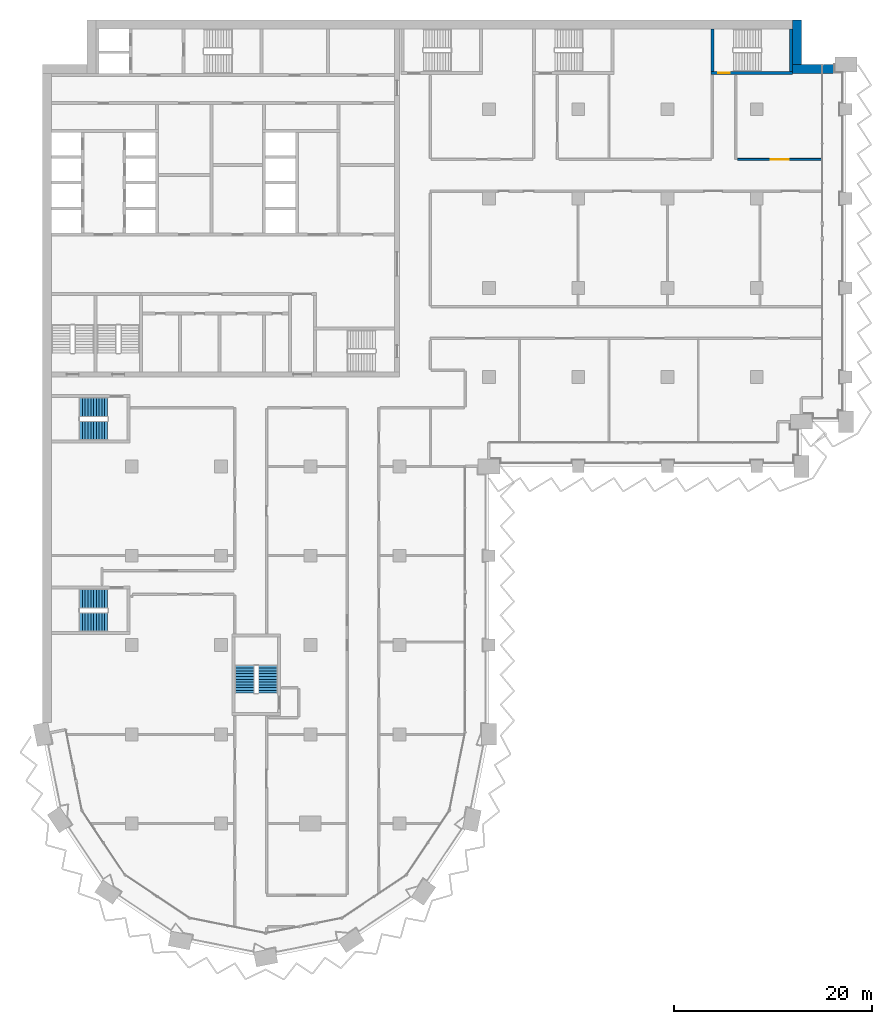
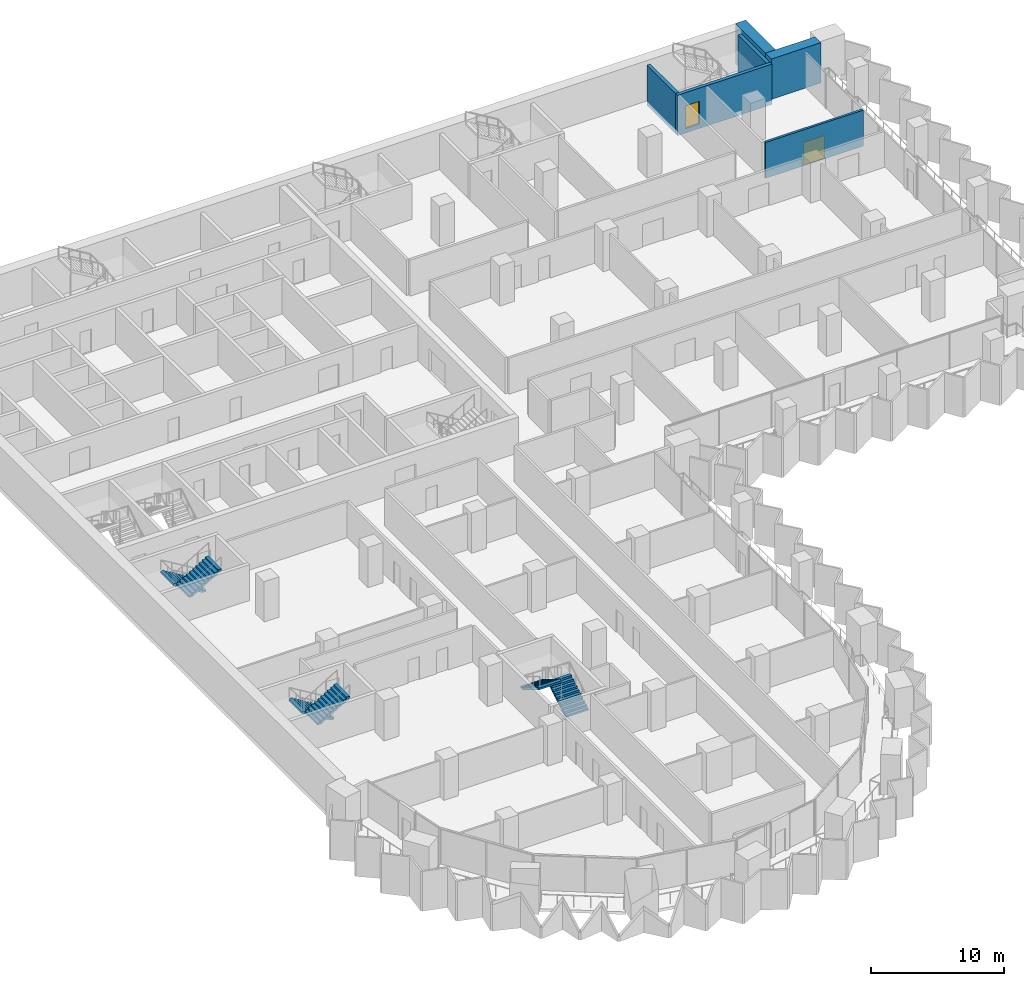
# One storey, part 15 of 22: 6 stair flights, 6 walls, 2 doors, 2 openings, 3 elements without a shape of their own.
"""IFC4 building model written with IfcOpenShell, lengths in metres."""

from ifc_helpers import new_model, si_unit, direction, frame, frame_2d, origin, place, context, subcontext, project, spatial, polyline, rectangle, outline, extrude, material, layer, layer_set, type_object, element, fill, aggregate, save


model = new_model("IFC4")

# Units and contexts
model_context = context("Model", 3, precision=1e-05, world=origin(), true_north=direction((0.0, 1.0)))
body_context = subcontext(model_context, "Body", "Model", "MODEL_VIEW")
ifc_project = project(units=[si_unit("LENGTHUNIT", "METRE"), si_unit("AREAUNIT", "SQUARE_METRE"), si_unit("VOLUMEUNIT", "CUBIC_METRE"), si_unit("PLANEANGLEUNIT", "RADIAN"), si_unit("MASSUNIT", "GRAM", prefix="KILO")], contexts=[model_context])

# Site, building, storey
site_placement = place(None, origin())
site = spatial("IfcSite", under=ifc_project, at=site_placement, CompositionType="ELEMENT")
building_placement = place(site_placement, origin())
building = spatial("IfcBuilding", under=site, at=building_placement, Name="Hunhe Ridgeline Campus", CompositionType="ELEMENT")
storey_placement = place(building_placement, frame((0.0, 0.0, 84.800048828125)))
storey = spatial("IfcBuildingStorey", under=building, at=storey_placement, Name="L20", CompositionType="ELEMENT", Elevation=84.800048828125)

# Wall, opening, door
ifc_material_1 = material(Name="Gypsum board partition")
ifc_layer_1 = layer(ifc_material_1, 0.199951171875)
ifc_layer_set_1 = layer_set([ifc_layer_1], Name="Corridor partition 200 gypsum board on steel studs")
wall_type_1 = type_object("IfcWallType", Name="Corridor partition 200 gypsum board on steel studs", PredefinedType="PARTITIONING", material=ifc_layer_set_1)
wall_1_placement = place(storey_placement, frame((70.056884765625, 84.949951171875, 0.0), z_axis=(0.0, 0.0, 1.0), x_axis=(1.0, 0.0, 0.0)))
wall_1 = element("IfcWall", 1, at=wall_1_placement, inside=storey, type_object=wall_type_1, Name="F-L20-wall-043", PredefinedType="PARTITIONING", context=body_context, shape_type="SweptSolid", body=[
    extrude(rectangle(XDim=8.488037109375, YDim=0.199951171875, at=frame_2d((4.244140625, 0.0))), origin(), (0.0, 0.0, 1.0), 3.300048828125),
])
opening_1_placement = place(wall_1_placement, frame((3.343994140625, 0.0, 0.0)))
opening_1 = element("IfcOpeningElement", 2, at=opening_1_placement, cuts=wall_1, Name="Opening RD2-036", PredefinedType="OPENING", context=body_context, shape_type="SweptSolid", body=[
    extrude(rectangle(XDim=1.800048828125, YDim=2.10009765625, at=frame_2d((0.89990234375, 1.050048828125))), frame((0.0, 0.10009765625, 0.0), z_axis=(0.0, -1.0, 0.0), x_axis=(1.0, 0.0, 0.0)), (0.0, 0.0, 1.0), 0.199951171875),
])
ifc_material_2 = material(Name="Timber door leaf", Category="wood")
door_type_1 = type_object("IfcDoorType", Name="Double fire door 1800x2100 timber FD60", OperationType="DOUBLE_DOOR_SINGLE_SWING", PredefinedType="DOOR", material=ifc_material_2)
door_1_placement = place(opening_1_placement, origin())
door_1 = element("IfcDoor", 3, at=door_1_placement, inside=storey, type_object=door_type_1, Name="F-L20-door-036", OperationType="DOUBLE_DOOR_SINGLE_SWING", OverallHeight=2.10009765625, OverallWidth=1.800048828125, PredefinedType="DOOR", context=body_context, shape_type="SweptSolid", body=[
    extrude(rectangle(XDim=1.800048828125, YDim=2.10009765625, at=frame_2d((0.89990234375, 1.050048828125))), frame((0.0, 0.02490234375, 0.0), z_axis=(0.0, -1.0, 0.0), x_axis=(1.0, 0.0, 0.0)), (0.0, 0.0, 1.0), 0.050048828125),
])
fill(opening_1, door_1)

# Walls
ifc_material_3 = material(Name="Concrete C70", Category="concrete")
ifc_layer_2 = layer(ifc_material_3, 0.89990234375)
ifc_layer_set_2 = layer_set([ifc_layer_2], Name="Spine wall 900 Concrete C70")
wall_type_2 = type_object("IfcWallType", Name="Spine wall 900 Concrete C70", PredefinedType="SHEAR", material=ifc_layer_set_2)
wall_2_placement = place(storey_placement, frame((79.89990234375, 94.050048828125, 0.0), z_axis=(0.0, 0.0, 1.0), x_axis=(-1.0, 0.0, 0.0)))
element("IfcWall", 4, at=wall_2_placement, inside=storey, type_object=wall_type_2, Name="Spine wall SW2-2 L20", PredefinedType="SHEAR", context=body_context, shape_type="SweptSolid", body=[
    extrude(rectangle(XDim=4.30029296875, YDim=0.89990234375, at=frame_2d((2.150146484375, 0.0))), origin(), (0.0, 0.0, 1.0), 3.699951171875),
])
wall_3_placement = place(storey_placement, frame((76.050048828125, 93.60009765625, 0.0), z_axis=(0.0, 0.0, 1.0), x_axis=(0.0, 1.0, 0.0)))
element("IfcWall", 5, at=wall_3_placement, inside=storey, type_object=wall_type_2, Name="Spine wall SW2-3 L20", PredefinedType="SHEAR", context=body_context, shape_type="SweptSolid", body=[
    extrude(rectangle(XDim=5.39990234375, YDim=0.89990234375, at=frame_2d((2.699951171875, 0.0))), origin(), (0.0, 0.0, 1.0), 3.699951171875),
])

# Wall, opening, door
ifc_material_4 = material(Name="Concrete C80", Category="concrete")
ifc_layer_3 = layer(ifc_material_4, 0.300048828125)
ifc_layer_set_3 = layer_set([ifc_layer_3], Name="Stair wall 300 reinforced concrete C80")
wall_type_3 = type_object("IfcWallType", Name="Stair wall 300 reinforced concrete C80", PredefinedType="SOLIDWALL", material=ifc_layer_set_3)
wall_4_placement = place(storey_placement, frame((67.39990234375, 93.64990234375, -0.400146484375), z_axis=(0.0, 0.0, 1.0), x_axis=(1.0, 0.0, 0.0)))
wall_4 = element("IfcWall", 6, at=wall_4_placement, inside=storey, type_object=wall_type_3, Name="L20 core wall 32", PredefinedType="SOLIDWALL", context=body_context, shape_type="SweptSolid", body=[
    extrude(rectangle(XDim=8.2001953125, YDim=0.300048828125, at=frame_2d((4.10009765625, 0.0))), origin(), (0.0, 0.0, 1.0), 3.7001953125),
])
opening_2_placement = place(wall_4_placement, frame((0.699951171875, 0.0, 0.39990234375)))
opening_2 = element("IfcOpeningElement", 7, at=opening_2_placement, cuts=wall_4, Name="Opening CD19", PredefinedType="OPENING", context=body_context, shape_type="SweptSolid", body=[
    extrude(rectangle(XDim=1.199951171875, YDim=2.10009765625, at=frame_2d((0.60009765625, 1.050048828125))), frame((0.0, 0.14990234375, 0.0), z_axis=(0.0, -1.0, 0.0), x_axis=(1.0, 0.0, 0.0)), (0.0, 0.0, 1.0), 0.300048828125),
])
ifc_material_5 = material(Name="Hollow metal fire door leaf")
door_type_2 = type_object("IfcDoorType", Name="Stair door 1200x2100 FD60", OperationType="SINGLE_SWING_LEFT", PredefinedType="DOOR", material=ifc_material_5)
door_2_placement = place(opening_2_placement, frame((1.199951171875, 0.0, 0.0), z_axis=(0.0, 0.0, 1.0), x_axis=(-1.0, 0.0, 0.0)))
door_2 = element("IfcDoor", 8, at=door_2_placement, inside=storey, type_object=door_type_2, Name="L20 door E3", OperationType="SINGLE_SWING_RIGHT", OverallHeight=2.10009765625, OverallWidth=1.199951171875, PredefinedType="DOOR", context=body_context, shape_type="SweptSolid", body=[
    extrude(rectangle(XDim=1.199951171875, YDim=2.10009765625, at=frame_2d((0.60009765625, 1.050048828125))), frame((0.0, 0.02490234375, 0.0), z_axis=(0.0, -1.0, 0.0), x_axis=(1.0, 0.0, 0.0)), (0.0, 0.0, 1.0), 0.050048828125),
])
fill(opening_2, door_2)

# Walls
for number, where, z_axis, x_axis, name in (
    (9, (67.550048828125, 93.800048828125, -0.400146484375), (0.0, 0.0, 1.0), (0.0, 1.0, 0.0), "L20 core wall 66"),
    (10, (75.449951171875, 93.800048828125, -0.400146484375), (0.0, 0.0, 1.0), (0.0, 1.0, 0.0), "L20 core wall 67"),
):
    element("IfcWall", number, at=place(storey_placement, frame(where, z_axis=z_axis, x_axis=x_axis)), inside=storey, type_object=wall_type_3, Name=name, PredefinedType="SOLIDWALL", context=body_context, shape_type="SweptSolid", body=[
        extrude(rectangle(XDim=4.300048828125, YDim=0.300048828125, at=frame_2d((2.14990234375, 0.0))), origin(), (0.0, 0.0, 1.0), 3.7001953125),
    ])

# Stair, stair flights
ifc_material_6 = material(Name="Concrete C40", Category="concrete")
stair_type = type_object("IfcStairType", Name="Reinforced concrete dog-leg stair 1950 Concrete C40", PredefinedType="HALF_TURN_STAIR", material=ifc_material_6)
stair_1_placement = place(storey_placement, origin())
stair_1 = element("IfcStair", 11, at=stair_1_placement, inside=storey, type_object=stair_type, Name="L20 W3", PredefinedType="HALF_TURN_STAIR")
stair_flight_type = type_object("IfcStairFlightType", Name="Reinforced concrete stair flight 1950 Concrete C40", PredefinedType="STRAIGHT", material=ifc_material_6)
stair_flight_1_placement = place(storey_placement, frame((22.72509765625, 31.14990234375, 0.0), z_axis=(0.0, 0.0, 1.0), x_axis=(0.0, 1.0, 0.0)))
stair_flight_1 = element("IfcStairFlight", 12, at=stair_flight_1_placement, type_object=stair_flight_type, Name="ST9 flight 1", NumberOfRisers=11, NumberOfTreads=10, PredefinedType="STRAIGHT", RiserHeight=0.168181818, TreadLength=0.28, context=body_context, shape_type="SweptSolid", body=[
    extrude(outline(polyline([(0.0, 0.0), (0.0, 0.168212890625), (0.280029296875, 0.168212890625), (0.280029296875, 0.33642578125), (0.56005859375, 0.33642578125), (0.56005859375, 0.504638671875), (0.840087890625, 0.504638671875), (0.840087890625, 0.672607421875), (1.1201171875, 0.672607421875), (1.1201171875, 0.8408203125), (1.39990234375, 0.8408203125), (1.39990234375, 1.009033203125), (1.679931640625, 1.009033203125), (1.679931640625, 1.17724609375), (1.9599609375, 1.17724609375), (1.9599609375, 1.345458984375), (2.239990234375, 1.345458984375), (2.239990234375, 1.513671875), (2.52001953125, 1.513671875), (2.52001953125, 1.681884765625), (2.800048828125, 1.681884765625), (2.800048828125, 1.85009765625), (2.800048828125, 1.5068359375), (0.291015625, 0.0), (0.0, 0.0)])), frame((0.0, 0.97509765625, 0.0), z_axis=(0.0, -1.0, 0.0), x_axis=(1.0, 0.0, 0.0)), (0.0, 0.0, 1.0), 1.949951171875),
    extrude(outline(polyline([(0.030029296875, 0.030029296875), (0.030029296875, 0.13818359375), (0.31005859375, 0.13818359375), (0.31005859375, 0.306396484375), (0.590087890625, 0.306396484375), (0.590087890625, 0.474609375), (0.8701171875, 0.474609375), (0.8701171875, 0.642578125), (1.14990234375, 0.642578125), (1.14990234375, 0.810791015625), (1.429931640625, 0.810791015625), (1.429931640625, 0.97900390625), (1.7099609375, 0.97900390625), (1.7099609375, 1.147216796875), (1.989990234375, 1.147216796875), (1.989990234375, 1.3154296875), (2.27001953125, 1.3154296875), (2.27001953125, 1.483642578125), (2.550048828125, 1.483642578125), (2.550048828125, 1.65185546875), (2.77001953125, 1.65185546875), (2.77001953125, 1.52392578125), (0.28271484375, 0.030029296875), (0.030029296875, 0.030029296875)])), frame((0.0, -0.070068359375, 0.0), z_axis=(0.0, -1.0, 0.0), x_axis=(1.0, 0.0, 0.0)), (0.0, 0.0, 1.0), 0.019775390625),
    extrude(outline(polyline([(0.030029296875, 0.030029296875), (0.030029296875, 0.13818359375), (0.31005859375, 0.13818359375), (0.31005859375, 0.306396484375), (0.590087890625, 0.306396484375), (0.590087890625, 0.474609375), (0.8701171875, 0.474609375), (0.8701171875, 0.642578125), (1.14990234375, 0.642578125), (1.14990234375, 0.810791015625), (1.429931640625, 0.810791015625), (1.429931640625, 0.97900390625), (1.7099609375, 0.97900390625), (1.7099609375, 1.147216796875), (1.989990234375, 1.147216796875), (1.989990234375, 1.3154296875), (2.27001953125, 1.3154296875), (2.27001953125, 1.483642578125), (2.550048828125, 1.483642578125), (2.550048828125, 1.65185546875), (2.77001953125, 1.65185546875), (2.77001953125, 1.52392578125), (0.28271484375, 0.030029296875), (0.030029296875, 0.030029296875)])), frame((0.0, 0.010009765625, 0.0), z_axis=(0.0, -1.0, 0.0), x_axis=(1.0, 0.0, 0.0)), (0.0, 0.0, 1.0), 0.019775390625),
    extrude(outline(polyline([(0.030029296875, 0.030029296875), (0.030029296875, 0.13818359375), (0.31005859375, 0.13818359375), (0.31005859375, 0.306396484375), (0.590087890625, 0.306396484375), (0.590087890625, 0.474609375), (0.8701171875, 0.474609375), (0.8701171875, 0.642578125), (1.14990234375, 0.642578125), (1.14990234375, 0.810791015625), (1.429931640625, 0.810791015625), (1.429931640625, 0.97900390625), (1.7099609375, 0.97900390625), (1.7099609375, 1.147216796875), (1.989990234375, 1.147216796875), (1.989990234375, 1.3154296875), (2.27001953125, 1.3154296875), (2.27001953125, 1.483642578125), (2.550048828125, 1.483642578125), (2.550048828125, 1.65185546875), (2.77001953125, 1.65185546875), (2.77001953125, 1.52392578125), (0.28271484375, 0.030029296875), (0.030029296875, 0.030029296875)])), frame((0.0, 0.090087890625, 0.0), z_axis=(0.0, -1.0, 0.0), x_axis=(1.0, 0.0, 0.0)), (0.0, 0.0, 1.0), 0.019775390625),
])
stair_flight_2_placement = place(storey_placement, frame((20.375, 33.949951171875, 1.849853515625), z_axis=(0.0, 0.0, 1.0), x_axis=(0.0, -1.0, 0.0)))
stair_flight_2 = element("IfcStairFlight", 13, at=stair_flight_2_placement, type_object=stair_flight_type, Name="ST9 flight 2", NumberOfRisers=11, NumberOfTreads=10, PredefinedType="STRAIGHT", RiserHeight=0.168181818, TreadLength=0.28, context=body_context, shape_type="SweptSolid", body=[
    extrude(outline(polyline([(0.0, 0.0), (0.0, 0.168212890625), (0.280029296875, 0.168212890625), (0.280029296875, 0.33642578125), (0.56005859375, 0.33642578125), (0.56005859375, 0.504638671875), (0.840087890625, 0.504638671875), (0.840087890625, 0.672607421875), (1.1201171875, 0.672607421875), (1.1201171875, 0.8408203125), (1.39990234375, 0.8408203125), (1.39990234375, 1.009033203125), (1.679931640625, 1.009033203125), (1.679931640625, 1.17724609375), (1.9599609375, 1.17724609375), (1.9599609375, 1.345458984375), (2.239990234375, 1.345458984375), (2.239990234375, 1.513671875), (2.52001953125, 1.513671875), (2.52001953125, 1.681884765625), (2.800048828125, 1.681884765625), (2.800048828125, 1.85009765625), (2.800048828125, 1.5068359375), (0.291015625, 0.0), (0.0, 0.0)])), frame((0.0, 0.97509765625, 0.0), z_axis=(0.0, -1.0, 0.0), x_axis=(1.0, 0.0, 0.0)), (0.0, 0.0, 1.0), 1.949951171875),
    extrude(outline(polyline([(0.030029296875, 0.030029296875), (0.030029296875, 0.13818359375), (0.31005859375, 0.13818359375), (0.31005859375, 0.306396484375), (0.590087890625, 0.306396484375), (0.590087890625, 0.474609375), (0.8701171875, 0.474609375), (0.8701171875, 0.642578125), (1.14990234375, 0.642578125), (1.14990234375, 0.810791015625), (1.429931640625, 0.810791015625), (1.429931640625, 0.97900390625), (1.7099609375, 0.97900390625), (1.7099609375, 1.147216796875), (1.989990234375, 1.147216796875), (1.989990234375, 1.3154296875), (2.27001953125, 1.3154296875), (2.27001953125, 1.483642578125), (2.550048828125, 1.483642578125), (2.550048828125, 1.65185546875), (2.77001953125, 1.65185546875), (2.77001953125, 1.52392578125), (0.28271484375, 0.030029296875), (0.030029296875, 0.030029296875)])), frame((0.0, -0.070068359375, 0.0), z_axis=(0.0, -1.0, 0.0), x_axis=(1.0, 0.0, 0.0)), (0.0, 0.0, 1.0), 0.019775390625),
    extrude(outline(polyline([(0.030029296875, 0.030029296875), (0.030029296875, 0.13818359375), (0.31005859375, 0.13818359375), (0.31005859375, 0.306396484375), (0.590087890625, 0.306396484375), (0.590087890625, 0.474609375), (0.8701171875, 0.474609375), (0.8701171875, 0.642578125), (1.14990234375, 0.642578125), (1.14990234375, 0.810791015625), (1.429931640625, 0.810791015625), (1.429931640625, 0.97900390625), (1.7099609375, 0.97900390625), (1.7099609375, 1.147216796875), (1.989990234375, 1.147216796875), (1.989990234375, 1.3154296875), (2.27001953125, 1.3154296875), (2.27001953125, 1.483642578125), (2.550048828125, 1.483642578125), (2.550048828125, 1.65185546875), (2.77001953125, 1.65185546875), (2.77001953125, 1.52392578125), (0.28271484375, 0.030029296875), (0.030029296875, 0.030029296875)])), frame((0.0, 0.010009765625, 0.0), z_axis=(0.0, -1.0, 0.0), x_axis=(1.0, 0.0, 0.0)), (0.0, 0.0, 1.0), 0.019775390625),
    extrude(outline(polyline([(0.030029296875, 0.030029296875), (0.030029296875, 0.13818359375), (0.31005859375, 0.13818359375), (0.31005859375, 0.306396484375), (0.590087890625, 0.306396484375), (0.590087890625, 0.474609375), (0.8701171875, 0.474609375), (0.8701171875, 0.642578125), (1.14990234375, 0.642578125), (1.14990234375, 0.810791015625), (1.429931640625, 0.810791015625), (1.429931640625, 0.97900390625), (1.7099609375, 0.97900390625), (1.7099609375, 1.147216796875), (1.989990234375, 1.147216796875), (1.989990234375, 1.3154296875), (2.27001953125, 1.3154296875), (2.27001953125, 1.483642578125), (2.550048828125, 1.483642578125), (2.550048828125, 1.65185546875), (2.77001953125, 1.65185546875), (2.77001953125, 1.52392578125), (0.28271484375, 0.030029296875), (0.030029296875, 0.030029296875)])), frame((0.0, 0.090087890625, 0.0), z_axis=(0.0, -1.0, 0.0), x_axis=(1.0, 0.0, 0.0)), (0.0, 0.0, 1.0), 0.019775390625),
])
aggregate(stair_1, [stair_flight_1, stair_flight_2])

stair_2_placement = place(storey_placement, origin())
stair_2 = element("IfcStair", 14, at=stair_2_placement, inside=storey, type_object=stair_type, Name="L20 W1", PredefinedType="HALF_TURN_STAIR")
stair_flight_3_placement = place(storey_placement, frame((6.550048828125, 40.675048828125, 0.0), z_axis=(0.0, 0.0, 1.0), x_axis=(-1.0, 0.0, 0.0)))
stair_flight_3 = element("IfcStairFlight", 15, at=stair_flight_3_placement, type_object=stair_flight_type, Name="ST11 flight 1", NumberOfRisers=11, NumberOfTreads=10, PredefinedType="STRAIGHT", RiserHeight=0.168181818, TreadLength=0.28, context=body_context, shape_type="SweptSolid", body=[
    extrude(outline(polyline([(0.0, 0.0), (0.0, 0.168212890625), (0.280029296875, 0.168212890625), (0.280029296875, 0.33642578125), (0.56005859375, 0.33642578125), (0.56005859375, 0.504638671875), (0.840087890625, 0.504638671875), (0.840087890625, 0.672607421875), (1.1201171875, 0.672607421875), (1.1201171875, 0.8408203125), (1.39990234375, 0.8408203125), (1.39990234375, 1.009033203125), (1.679931640625, 1.009033203125), (1.679931640625, 1.17724609375), (1.9599609375, 1.17724609375), (1.9599609375, 1.345458984375), (2.239990234375, 1.345458984375), (2.239990234375, 1.513671875), (2.52001953125, 1.513671875), (2.52001953125, 1.681884765625), (2.800048828125, 1.681884765625), (2.800048828125, 1.85009765625), (2.800048828125, 1.5068359375), (0.291015625, 0.0), (0.0, 0.0)])), frame((0.0, 0.97509765625, 0.0), z_axis=(0.0, -1.0, 0.0), x_axis=(1.0, 0.0, 0.0)), (0.0, 0.0, 1.0), 1.949951171875),
    extrude(outline(polyline([(0.030029296875, 0.030029296875), (0.030029296875, 0.13818359375), (0.31005859375, 0.13818359375), (0.31005859375, 0.306396484375), (0.590087890625, 0.306396484375), (0.590087890625, 0.474609375), (0.8701171875, 0.474609375), (0.8701171875, 0.642578125), (1.14990234375, 0.642578125), (1.14990234375, 0.810791015625), (1.429931640625, 0.810791015625), (1.429931640625, 0.97900390625), (1.7099609375, 0.97900390625), (1.7099609375, 1.147216796875), (1.989990234375, 1.147216796875), (1.989990234375, 1.3154296875), (2.27001953125, 1.3154296875), (2.27001953125, 1.483642578125), (2.550048828125, 1.483642578125), (2.550048828125, 1.65185546875), (2.77001953125, 1.65185546875), (2.77001953125, 1.52392578125), (0.28271484375, 0.030029296875), (0.030029296875, 0.030029296875)])), frame((0.0, -0.070068359375, 0.0), z_axis=(0.0, -1.0, 0.0), x_axis=(1.0, 0.0, 0.0)), (0.0, 0.0, 1.0), 0.019775390625),
    extrude(outline(polyline([(0.030029296875, 0.030029296875), (0.030029296875, 0.13818359375), (0.31005859375, 0.13818359375), (0.31005859375, 0.306396484375), (0.590087890625, 0.306396484375), (0.590087890625, 0.474609375), (0.8701171875, 0.474609375), (0.8701171875, 0.642578125), (1.14990234375, 0.642578125), (1.14990234375, 0.810791015625), (1.429931640625, 0.810791015625), (1.429931640625, 0.97900390625), (1.7099609375, 0.97900390625), (1.7099609375, 1.147216796875), (1.989990234375, 1.147216796875), (1.989990234375, 1.3154296875), (2.27001953125, 1.3154296875), (2.27001953125, 1.483642578125), (2.550048828125, 1.483642578125), (2.550048828125, 1.65185546875), (2.77001953125, 1.65185546875), (2.77001953125, 1.52392578125), (0.28271484375, 0.030029296875), (0.030029296875, 0.030029296875)])), frame((0.0, 0.010009765625, 0.0), z_axis=(0.0, -1.0, 0.0), x_axis=(1.0, 0.0, 0.0)), (0.0, 0.0, 1.0), 0.019775390625),
    extrude(outline(polyline([(0.030029296875, 0.030029296875), (0.030029296875, 0.13818359375), (0.31005859375, 0.13818359375), (0.31005859375, 0.306396484375), (0.590087890625, 0.306396484375), (0.590087890625, 0.474609375), (0.8701171875, 0.474609375), (0.8701171875, 0.642578125), (1.14990234375, 0.642578125), (1.14990234375, 0.810791015625), (1.429931640625, 0.810791015625), (1.429931640625, 0.97900390625), (1.7099609375, 0.97900390625), (1.7099609375, 1.147216796875), (1.989990234375, 1.147216796875), (1.989990234375, 1.3154296875), (2.27001953125, 1.3154296875), (2.27001953125, 1.483642578125), (2.550048828125, 1.483642578125), (2.550048828125, 1.65185546875), (2.77001953125, 1.65185546875), (2.77001953125, 1.52392578125), (0.28271484375, 0.030029296875), (0.030029296875, 0.030029296875)])), frame((0.0, 0.090087890625, 0.0), z_axis=(0.0, -1.0, 0.0), x_axis=(1.0, 0.0, 0.0)), (0.0, 0.0, 1.0), 0.019775390625),
])
stair_flight_4_placement = place(storey_placement, frame((3.75, 38.324951171875, 1.849853515625), z_axis=(0.0, 0.0, 1.0), x_axis=(1.0, 0.0, 0.0)))
stair_flight_4 = element("IfcStairFlight", 16, at=stair_flight_4_placement, type_object=stair_flight_type, Name="ST11 flight 2", NumberOfRisers=11, NumberOfTreads=10, PredefinedType="STRAIGHT", RiserHeight=0.168181818, TreadLength=0.28, context=body_context, shape_type="SweptSolid", body=[
    extrude(outline(polyline([(0.0, 0.0), (0.0, 0.168212890625), (0.280029296875, 0.168212890625), (0.280029296875, 0.33642578125), (0.56005859375, 0.33642578125), (0.56005859375, 0.504638671875), (0.840087890625, 0.504638671875), (0.840087890625, 0.672607421875), (1.1201171875, 0.672607421875), (1.1201171875, 0.8408203125), (1.39990234375, 0.8408203125), (1.39990234375, 1.009033203125), (1.679931640625, 1.009033203125), (1.679931640625, 1.17724609375), (1.9599609375, 1.17724609375), (1.9599609375, 1.345458984375), (2.239990234375, 1.345458984375), (2.239990234375, 1.513671875), (2.52001953125, 1.513671875), (2.52001953125, 1.681884765625), (2.800048828125, 1.681884765625), (2.800048828125, 1.85009765625), (2.800048828125, 1.5068359375), (0.291015625, 0.0), (0.0, 0.0)])), frame((0.0, 0.97509765625, 0.0), z_axis=(0.0, -1.0, 0.0), x_axis=(1.0, 0.0, 0.0)), (0.0, 0.0, 1.0), 1.949951171875),
    extrude(outline(polyline([(0.030029296875, 0.030029296875), (0.030029296875, 0.13818359375), (0.31005859375, 0.13818359375), (0.31005859375, 0.306396484375), (0.590087890625, 0.306396484375), (0.590087890625, 0.474609375), (0.8701171875, 0.474609375), (0.8701171875, 0.642578125), (1.14990234375, 0.642578125), (1.14990234375, 0.810791015625), (1.429931640625, 0.810791015625), (1.429931640625, 0.97900390625), (1.7099609375, 0.97900390625), (1.7099609375, 1.147216796875), (1.989990234375, 1.147216796875), (1.989990234375, 1.3154296875), (2.27001953125, 1.3154296875), (2.27001953125, 1.483642578125), (2.550048828125, 1.483642578125), (2.550048828125, 1.65185546875), (2.77001953125, 1.65185546875), (2.77001953125, 1.52392578125), (0.28271484375, 0.030029296875), (0.030029296875, 0.030029296875)])), frame((0.0, -0.070068359375, 0.0), z_axis=(0.0, -1.0, 0.0), x_axis=(1.0, 0.0, 0.0)), (0.0, 0.0, 1.0), 0.019775390625),
    extrude(outline(polyline([(0.030029296875, 0.030029296875), (0.030029296875, 0.13818359375), (0.31005859375, 0.13818359375), (0.31005859375, 0.306396484375), (0.590087890625, 0.306396484375), (0.590087890625, 0.474609375), (0.8701171875, 0.474609375), (0.8701171875, 0.642578125), (1.14990234375, 0.642578125), (1.14990234375, 0.810791015625), (1.429931640625, 0.810791015625), (1.429931640625, 0.97900390625), (1.7099609375, 0.97900390625), (1.7099609375, 1.147216796875), (1.989990234375, 1.147216796875), (1.989990234375, 1.3154296875), (2.27001953125, 1.3154296875), (2.27001953125, 1.483642578125), (2.550048828125, 1.483642578125), (2.550048828125, 1.65185546875), (2.77001953125, 1.65185546875), (2.77001953125, 1.52392578125), (0.28271484375, 0.030029296875), (0.030029296875, 0.030029296875)])), frame((0.0, 0.010009765625, 0.0), z_axis=(0.0, -1.0, 0.0), x_axis=(1.0, 0.0, 0.0)), (0.0, 0.0, 1.0), 0.019775390625),
    extrude(outline(polyline([(0.030029296875, 0.030029296875), (0.030029296875, 0.13818359375), (0.31005859375, 0.13818359375), (0.31005859375, 0.306396484375), (0.590087890625, 0.306396484375), (0.590087890625, 0.474609375), (0.8701171875, 0.474609375), (0.8701171875, 0.642578125), (1.14990234375, 0.642578125), (1.14990234375, 0.810791015625), (1.429931640625, 0.810791015625), (1.429931640625, 0.97900390625), (1.7099609375, 0.97900390625), (1.7099609375, 1.147216796875), (1.989990234375, 1.147216796875), (1.989990234375, 1.3154296875), (2.27001953125, 1.3154296875), (2.27001953125, 1.483642578125), (2.550048828125, 1.483642578125), (2.550048828125, 1.65185546875), (2.77001953125, 1.65185546875), (2.77001953125, 1.52392578125), (0.28271484375, 0.030029296875), (0.030029296875, 0.030029296875)])), frame((0.0, 0.090087890625, 0.0), z_axis=(0.0, -1.0, 0.0), x_axis=(1.0, 0.0, 0.0)), (0.0, 0.0, 1.0), 0.019775390625),
])
aggregate(stair_2, [stair_flight_3, stair_flight_4])

stair_3_placement = place(storey_placement, origin())
stair_3 = element("IfcStair", 17, at=stair_3_placement, inside=storey, type_object=stair_type, Name="L20 W2", PredefinedType="HALF_TURN_STAIR")
stair_flight_5_placement = place(storey_placement, frame((6.550048828125, 59.97509765625, 0.0), z_axis=(0.0, 0.0, 1.0), x_axis=(-1.0, 0.0, 0.0)))
stair_flight_5 = element("IfcStairFlight", 18, at=stair_flight_5_placement, type_object=stair_flight_type, Name="ST12 flight 1", NumberOfRisers=11, NumberOfTreads=10, PredefinedType="STRAIGHT", RiserHeight=0.168181818, TreadLength=0.28, context=body_context, shape_type="SweptSolid", body=[
    extrude(outline(polyline([(0.0, 0.0), (0.0, 0.168212890625), (0.280029296875, 0.168212890625), (0.280029296875, 0.33642578125), (0.56005859375, 0.33642578125), (0.56005859375, 0.504638671875), (0.840087890625, 0.504638671875), (0.840087890625, 0.672607421875), (1.1201171875, 0.672607421875), (1.1201171875, 0.8408203125), (1.39990234375, 0.8408203125), (1.39990234375, 1.009033203125), (1.679931640625, 1.009033203125), (1.679931640625, 1.17724609375), (1.9599609375, 1.17724609375), (1.9599609375, 1.345458984375), (2.239990234375, 1.345458984375), (2.239990234375, 1.513671875), (2.52001953125, 1.513671875), (2.52001953125, 1.681884765625), (2.800048828125, 1.681884765625), (2.800048828125, 1.85009765625), (2.800048828125, 1.5068359375), (0.291015625, 0.0), (0.0, 0.0)])), frame((0.0, 0.97509765625, 0.0), z_axis=(0.0, -1.0, 0.0), x_axis=(1.0, 0.0, 0.0)), (0.0, 0.0, 1.0), 1.949951171875),
    extrude(outline(polyline([(0.030029296875, 0.030029296875), (0.030029296875, 0.13818359375), (0.31005859375, 0.13818359375), (0.31005859375, 0.306396484375), (0.590087890625, 0.306396484375), (0.590087890625, 0.474609375), (0.8701171875, 0.474609375), (0.8701171875, 0.642578125), (1.14990234375, 0.642578125), (1.14990234375, 0.810791015625), (1.429931640625, 0.810791015625), (1.429931640625, 0.97900390625), (1.7099609375, 0.97900390625), (1.7099609375, 1.147216796875), (1.989990234375, 1.147216796875), (1.989990234375, 1.3154296875), (2.27001953125, 1.3154296875), (2.27001953125, 1.483642578125), (2.550048828125, 1.483642578125), (2.550048828125, 1.65185546875), (2.77001953125, 1.65185546875), (2.77001953125, 1.52392578125), (0.28271484375, 0.030029296875), (0.030029296875, 0.030029296875)])), frame((0.0, -0.070068359375, 0.0), z_axis=(0.0, -1.0, 0.0), x_axis=(1.0, 0.0, 0.0)), (0.0, 0.0, 1.0), 0.019775390625),
    extrude(outline(polyline([(0.030029296875, 0.030029296875), (0.030029296875, 0.13818359375), (0.31005859375, 0.13818359375), (0.31005859375, 0.306396484375), (0.590087890625, 0.306396484375), (0.590087890625, 0.474609375), (0.8701171875, 0.474609375), (0.8701171875, 0.642578125), (1.14990234375, 0.642578125), (1.14990234375, 0.810791015625), (1.429931640625, 0.810791015625), (1.429931640625, 0.97900390625), (1.7099609375, 0.97900390625), (1.7099609375, 1.147216796875), (1.989990234375, 1.147216796875), (1.989990234375, 1.3154296875), (2.27001953125, 1.3154296875), (2.27001953125, 1.483642578125), (2.550048828125, 1.483642578125), (2.550048828125, 1.65185546875), (2.77001953125, 1.65185546875), (2.77001953125, 1.52392578125), (0.28271484375, 0.030029296875), (0.030029296875, 0.030029296875)])), frame((0.0, 0.010009765625, 0.0), z_axis=(0.0, -1.0, 0.0), x_axis=(1.0, 0.0, 0.0)), (0.0, 0.0, 1.0), 0.019775390625),
    extrude(outline(polyline([(0.030029296875, 0.030029296875), (0.030029296875, 0.13818359375), (0.31005859375, 0.13818359375), (0.31005859375, 0.306396484375), (0.590087890625, 0.306396484375), (0.590087890625, 0.474609375), (0.8701171875, 0.474609375), (0.8701171875, 0.642578125), (1.14990234375, 0.642578125), (1.14990234375, 0.810791015625), (1.429931640625, 0.810791015625), (1.429931640625, 0.97900390625), (1.7099609375, 0.97900390625), (1.7099609375, 1.147216796875), (1.989990234375, 1.147216796875), (1.989990234375, 1.3154296875), (2.27001953125, 1.3154296875), (2.27001953125, 1.483642578125), (2.550048828125, 1.483642578125), (2.550048828125, 1.65185546875), (2.77001953125, 1.65185546875), (2.77001953125, 1.52392578125), (0.28271484375, 0.030029296875), (0.030029296875, 0.030029296875)])), frame((0.0, 0.090087890625, 0.0), z_axis=(0.0, -1.0, 0.0), x_axis=(1.0, 0.0, 0.0)), (0.0, 0.0, 1.0), 0.019775390625),
])
stair_flight_6_placement = place(storey_placement, frame((3.75, 57.625, 1.849853515625), z_axis=(0.0, 0.0, 1.0), x_axis=(1.0, 0.0, 0.0)))
stair_flight_6 = element("IfcStairFlight", 19, at=stair_flight_6_placement, type_object=stair_flight_type, Name="ST12 flight 2", NumberOfRisers=11, NumberOfTreads=10, PredefinedType="STRAIGHT", RiserHeight=0.168181818, TreadLength=0.28, context=body_context, shape_type="SweptSolid", body=[
    extrude(outline(polyline([(0.0, 0.0), (0.0, 0.168212890625), (0.280029296875, 0.168212890625), (0.280029296875, 0.33642578125), (0.56005859375, 0.33642578125), (0.56005859375, 0.504638671875), (0.840087890625, 0.504638671875), (0.840087890625, 0.672607421875), (1.1201171875, 0.672607421875), (1.1201171875, 0.8408203125), (1.39990234375, 0.8408203125), (1.39990234375, 1.009033203125), (1.679931640625, 1.009033203125), (1.679931640625, 1.17724609375), (1.9599609375, 1.17724609375), (1.9599609375, 1.345458984375), (2.239990234375, 1.345458984375), (2.239990234375, 1.513671875), (2.52001953125, 1.513671875), (2.52001953125, 1.681884765625), (2.800048828125, 1.681884765625), (2.800048828125, 1.85009765625), (2.800048828125, 1.5068359375), (0.291015625, 0.0), (0.0, 0.0)])), frame((0.0, 0.97509765625, 0.0), z_axis=(0.0, -1.0, 0.0), x_axis=(1.0, 0.0, 0.0)), (0.0, 0.0, 1.0), 1.949951171875),
    extrude(outline(polyline([(0.030029296875, 0.030029296875), (0.030029296875, 0.13818359375), (0.31005859375, 0.13818359375), (0.31005859375, 0.306396484375), (0.590087890625, 0.306396484375), (0.590087890625, 0.474609375), (0.8701171875, 0.474609375), (0.8701171875, 0.642578125), (1.14990234375, 0.642578125), (1.14990234375, 0.810791015625), (1.429931640625, 0.810791015625), (1.429931640625, 0.97900390625), (1.7099609375, 0.97900390625), (1.7099609375, 1.147216796875), (1.989990234375, 1.147216796875), (1.989990234375, 1.3154296875), (2.27001953125, 1.3154296875), (2.27001953125, 1.483642578125), (2.550048828125, 1.483642578125), (2.550048828125, 1.65185546875), (2.77001953125, 1.65185546875), (2.77001953125, 1.52392578125), (0.28271484375, 0.030029296875), (0.030029296875, 0.030029296875)])), frame((0.0, -0.070068359375, 0.0), z_axis=(0.0, -1.0, 0.0), x_axis=(1.0, 0.0, 0.0)), (0.0, 0.0, 1.0), 0.019775390625),
    extrude(outline(polyline([(0.030029296875, 0.030029296875), (0.030029296875, 0.13818359375), (0.31005859375, 0.13818359375), (0.31005859375, 0.306396484375), (0.590087890625, 0.306396484375), (0.590087890625, 0.474609375), (0.8701171875, 0.474609375), (0.8701171875, 0.642578125), (1.14990234375, 0.642578125), (1.14990234375, 0.810791015625), (1.429931640625, 0.810791015625), (1.429931640625, 0.97900390625), (1.7099609375, 0.97900390625), (1.7099609375, 1.147216796875), (1.989990234375, 1.147216796875), (1.989990234375, 1.3154296875), (2.27001953125, 1.3154296875), (2.27001953125, 1.483642578125), (2.550048828125, 1.483642578125), (2.550048828125, 1.65185546875), (2.77001953125, 1.65185546875), (2.77001953125, 1.52392578125), (0.28271484375, 0.030029296875), (0.030029296875, 0.030029296875)])), frame((0.0, 0.010009765625, 0.0), z_axis=(0.0, -1.0, 0.0), x_axis=(1.0, 0.0, 0.0)), (0.0, 0.0, 1.0), 0.019775390625),
    extrude(outline(polyline([(0.030029296875, 0.030029296875), (0.030029296875, 0.13818359375), (0.31005859375, 0.13818359375), (0.31005859375, 0.306396484375), (0.590087890625, 0.306396484375), (0.590087890625, 0.474609375), (0.8701171875, 0.474609375), (0.8701171875, 0.642578125), (1.14990234375, 0.642578125), (1.14990234375, 0.810791015625), (1.429931640625, 0.810791015625), (1.429931640625, 0.97900390625), (1.7099609375, 0.97900390625), (1.7099609375, 1.147216796875), (1.989990234375, 1.147216796875), (1.989990234375, 1.3154296875), (2.27001953125, 1.3154296875), (2.27001953125, 1.483642578125), (2.550048828125, 1.483642578125), (2.550048828125, 1.65185546875), (2.77001953125, 1.65185546875), (2.77001953125, 1.52392578125), (0.28271484375, 0.030029296875), (0.030029296875, 0.030029296875)])), frame((0.0, 0.090087890625, 0.0), z_axis=(0.0, -1.0, 0.0), x_axis=(1.0, 0.0, 0.0)), (0.0, 0.0, 1.0), 0.019775390625),
])
aggregate(stair_3, [stair_flight_5, stair_flight_6])

save(model, "model.ifc")
